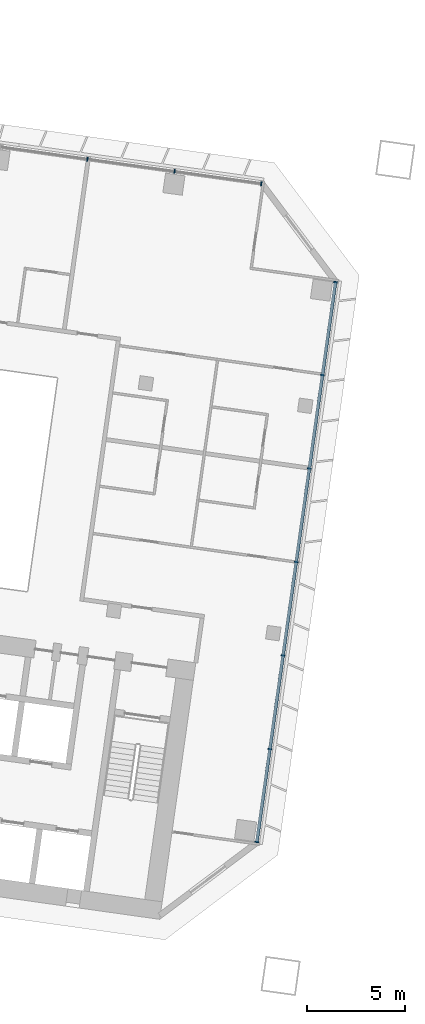
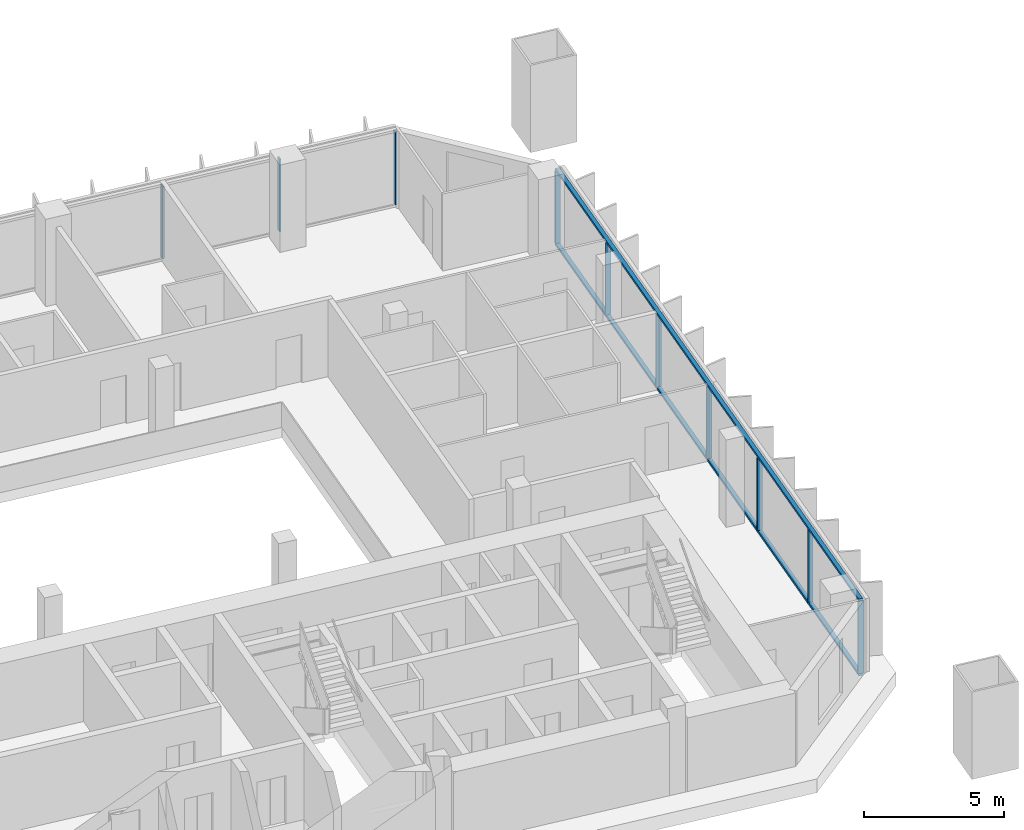
# One storey, part 6 of 25: 12 members, 2 elements without a shape of their own.
"""IFC4 building model written with IfcOpenShell, lengths in metres."""

from ifc_helpers import new_model, si_unit, direction, frame, origin, origin_2d, place, context, subcontext, project, spatial, rectangle, extrude, material, material_profile, profile_set, type_object, element, aggregate, save


model = new_model("IFC4")

# Units and contexts
model_context = context("Model", 3, precision=1e-05, world=origin(), true_north=direction((0.0, 1.0)))
body_context = subcontext(model_context, "Body", "Model", "MODEL_VIEW")
ifc_project = project(units=[si_unit("LENGTHUNIT", "METRE"), si_unit("AREAUNIT", "SQUARE_METRE"), si_unit("VOLUMEUNIT", "CUBIC_METRE"), si_unit("PLANEANGLEUNIT", "RADIAN"), si_unit("MASSUNIT", "GRAM", prefix="KILO")], contexts=[model_context])

# Site, building, storey
site_placement = place(None, origin())
site = spatial("IfcSite", under=ifc_project, at=site_placement, CompositionType="ELEMENT")
building_placement = place(site_placement, origin())
building = spatial("IfcBuilding", under=site, at=building_placement, Name="Mirante Cascada Hotel Towers", CompositionType="ELEMENT")
storey_placement = place(building_placement, frame((0.0, 0.0, 73.7)))
storey = spatial("IfcBuildingStorey", under=building, at=storey_placement, Name="L15", CompositionType="ELEMENT", Elevation=73.7)

# Curtain wall, members
ifc_material_1 = material(Name="Aluminium mullion and transom frame with clear laminated glass", Category="aluminium")
curtain_wall_type_1 = type_object("IfcCurtainWallType", Name="Ribbon curtain wall ECW1", PredefinedType="NOTDEFINED", material=ifc_material_1)
curtain_wall_1_placement = place(storey_placement, origin())
curtain_wall_1 = element("IfcCurtainWall", 1, at=curtain_wall_1_placement, inside=storey, type_object=curtain_wall_type_1, Name="Front ribbon wall T1 L15", PredefinedType="NOTDEFINED")
ifc_material_2 = material(Name="Anodised aluminium extrusion", Category="aluminium")
ifc_material_profile_1 = material_profile(ifc_material_2, rectangle(XDim=0.2, YDim=0.065, at=origin_2d()), Name="ECW1 MULLION 65x200")
ifc_profile_set_1 = profile_set([ifc_material_profile_1], Name="Anodised aluminium extrusion")
member_type_1 = type_object("IfcMemberType", Name="ECW1 mullion 65x200", PredefinedType="MULLION", material=ifc_profile_set_1)
member_1_placement = place(storey_placement, frame((-40.7892, 18.5516, 0.1), z_axis=(0.0, 0.0, 1.0), x_axis=(0.1391731, 0.9902681, 0.0)))
member_1 = element("IfcMember", 2, at=member_1_placement, type_object=member_type_1, Name="ECW1 mullion 13", PredefinedType="MULLION", context=body_context, shape_type="SweptSolid", body=[
    extrude(rectangle(XDim=0.2, YDim=0.065, at=origin_2d()), origin(), (0.0, 0.0, 1.0), 3.15),
])
member_2_placement = place(storey_placement, frame((-36.3417, 17.9265, 0.1), z_axis=(0.0, 0.0, 1.0), x_axis=(0.1391731, 0.9902681, 0.0)))
member_2 = element("IfcMember", 3, at=member_2_placement, type_object=member_type_1, Name="ECW1 mullion 14", PredefinedType="MULLION", context=body_context, shape_type="SweptSolid", body=[
    extrude(rectangle(XDim=0.2, YDim=0.065, at=origin_2d()), origin(), (0.0, 0.0, 1.0), 3.15),
])
member_3_placement = place(storey_placement, frame((-31.9265, 17.306, 0.1), z_axis=(0.0, 0.0, 1.0), x_axis=(0.1391731, 0.9902681, 0.0)))
member_3 = element("IfcMember", 4, at=member_3_placement, type_object=member_type_1, Name="ECW1 mullion 15", PredefinedType="MULLION", context=body_context, shape_type="SweptSolid", body=[
    extrude(rectangle(XDim=0.2, YDim=0.065, at=origin_2d()), origin(), (0.0, 0.0, 1.0), 3.15),
])
aggregate(curtain_wall_1, [member_1, member_2, member_3])

ifc_material_3 = material(Name="Aluminium mullion and transom frame with clear laminated glass", Category="aluminium")
curtain_wall_type_2 = type_object("IfcCurtainWallType", Name="End ribbon curtain wall ECW2", PredefinedType="NOTDEFINED", material=ifc_material_3)
curtain_wall_2_placement = place(storey_placement, origin())
curtain_wall_2 = element("IfcCurtainWall", 5, at=curtain_wall_2_placement, inside=storey, type_object=curtain_wall_type_2, Name="Inner end wall T1 L15", PredefinedType="NOTDEFINED")
ifc_material_4 = material(Name="Anodised aluminium extrusion", Category="aluminium")
ifc_material_profile_2 = material_profile(ifc_material_4, rectangle(XDim=0.2, YDim=0.065, at=origin_2d()), Name="ECW2 MULLION 65x200")
ifc_profile_set_2 = profile_set([ifc_material_profile_2], Name="Anodised aluminium extrusion")
member_type_2 = type_object("IfcMemberType", Name="ECW2 mullion 65x200", PredefinedType="MULLION", material=ifc_profile_set_2)
member_4_placement = place(storey_placement, frame((-28.1437, 12.2861, 0.1), z_axis=(0.0, 0.0, 1.0), x_axis=(0.9902681, -0.1391731, 0.0)))
member_4 = element("IfcMember", 6, at=member_4_placement, type_object=member_type_2, Name="ECW2 mullion 1", PredefinedType="MULLION", context=body_context, shape_type="SweptSolid", body=[
    extrude(rectangle(XDim=0.2, YDim=0.065, at=origin_2d()), origin(), (0.0, 0.0, 1.0), 3.15),
])
member_5_placement = place(storey_placement, frame((-28.809, 7.5524, 0.1), z_axis=(0.0, 0.0, 1.0), x_axis=(0.9902681, -0.1391731, 0.0)))
member_5 = element("IfcMember", 7, at=member_5_placement, type_object=member_type_2, Name="ECW2 mullion 2", PredefinedType="MULLION", context=body_context, shape_type="SweptSolid", body=[
    extrude(rectangle(XDim=0.2, YDim=0.065, at=origin_2d()), origin(), (0.0, 0.0, 1.0), 3.15),
])
member_6_placement = place(storey_placement, frame((-29.4788, 2.7867, 0.1), z_axis=(0.0, 0.0, 1.0), x_axis=(0.9902681, -0.1391731, 0.0)))
member_6 = element("IfcMember", 8, at=member_6_placement, type_object=member_type_2, Name="ECW2 mullion 3", PredefinedType="MULLION", context=body_context, shape_type="SweptSolid", body=[
    extrude(rectangle(XDim=0.2, YDim=0.065, at=origin_2d()), origin(), (0.0, 0.0, 1.0), 3.15),
])
member_7_placement = place(storey_placement, frame((-30.1485, -1.9791, 0.1), z_axis=(0.0, 0.0, 1.0), x_axis=(0.9902681, -0.1391731, 0.0)))
member_7 = element("IfcMember", 9, at=member_7_placement, type_object=member_type_2, Name="ECW2 mullion 4", PredefinedType="MULLION", context=body_context, shape_type="SweptSolid", body=[
    extrude(rectangle(XDim=0.2, YDim=0.065, at=origin_2d()), origin(), (0.0, 0.0, 1.0), 3.15),
])
member_8_placement = place(storey_placement, frame((-30.8183, -6.7449, 0.1), z_axis=(0.0, 0.0, 1.0), x_axis=(0.9902681, -0.1391731, 0.0)))
member_8 = element("IfcMember", 10, at=member_8_placement, type_object=member_type_2, Name="ECW2 mullion 5", PredefinedType="MULLION", context=body_context, shape_type="SweptSolid", body=[
    extrude(rectangle(XDim=0.2, YDim=0.065, at=origin_2d()), origin(), (0.0, 0.0, 1.0), 3.15),
])
member_9_placement = place(storey_placement, frame((-31.4881, -11.5107, 0.1), z_axis=(0.0, 0.0, 1.0), x_axis=(0.9902681, -0.1391731, 0.0)))
member_9 = element("IfcMember", 11, at=member_9_placement, type_object=member_type_2, Name="ECW2 mullion 6", PredefinedType="MULLION", context=body_context, shape_type="SweptSolid", body=[
    extrude(rectangle(XDim=0.2, YDim=0.065, at=origin_2d()), origin(), (0.0, 0.0, 1.0), 3.15),
])
member_10_placement = place(storey_placement, frame((-32.1534, -16.2443, 0.1), z_axis=(0.0, 0.0, 1.0), x_axis=(0.9902681, -0.1391731, 0.0)))
member_10 = element("IfcMember", 12, at=member_10_placement, type_object=member_type_2, Name="ECW2 mullion 7", PredefinedType="MULLION", context=body_context, shape_type="SweptSolid", body=[
    extrude(rectangle(XDim=0.2, YDim=0.065, at=origin_2d()), origin(), (0.0, 0.0, 1.0), 3.15),
])
ifc_material_5 = material(Name="Anodised aluminium extrusion", Category="aluminium")
ifc_material_profile_3 = material_profile(ifc_material_5, rectangle(XDim=0.16, YDim=0.1, at=origin_2d()), Name="ECW2 TRANSOM 100x160")
ifc_profile_set_3 = profile_set([ifc_material_profile_3], Name="Anodised aluminium extrusion")
member_type_3 = type_object("IfcMemberType", Name="ECW2 transom 100x160", PredefinedType="USERDEFINED", material=ifc_profile_set_3)
member_11_placement = place(storey_placement, frame((-28.1392, 12.3182, 0.05), z_axis=(-0.1391723, -0.9902682, 0.0), x_axis=(0.9902682, -0.1391723, 0.0)))
member_11 = element("IfcMember", 13, at=member_11_placement, type_object=member_type_3, Name="ECW2 sill transom", ObjectType="TRANSOM", PredefinedType="USERDEFINED", context=body_context, shape_type="SweptSolid", body=[
    extrude(rectangle(XDim=0.16, YDim=0.1, at=origin_2d()), origin(), (0.0, 0.0, 1.0), 28.8757),
])
member_12_placement = place(storey_placement, frame((-28.1392, 12.3182, 3.3), z_axis=(-0.1391723, -0.9902682, 0.0), x_axis=(0.9902682, -0.1391723, 0.0)))
member_12 = element("IfcMember", 14, at=member_12_placement, type_object=member_type_3, Name="ECW2 head transom", ObjectType="TRANSOM", PredefinedType="USERDEFINED", context=body_context, shape_type="SweptSolid", body=[
    extrude(rectangle(XDim=0.16, YDim=0.1, at=origin_2d()), origin(), (0.0, 0.0, 1.0), 28.8757),
])
aggregate(curtain_wall_2, [member_11, member_12, member_4, member_5, member_6, member_7, member_8, member_9, member_10])

save(model, "model.ifc")
